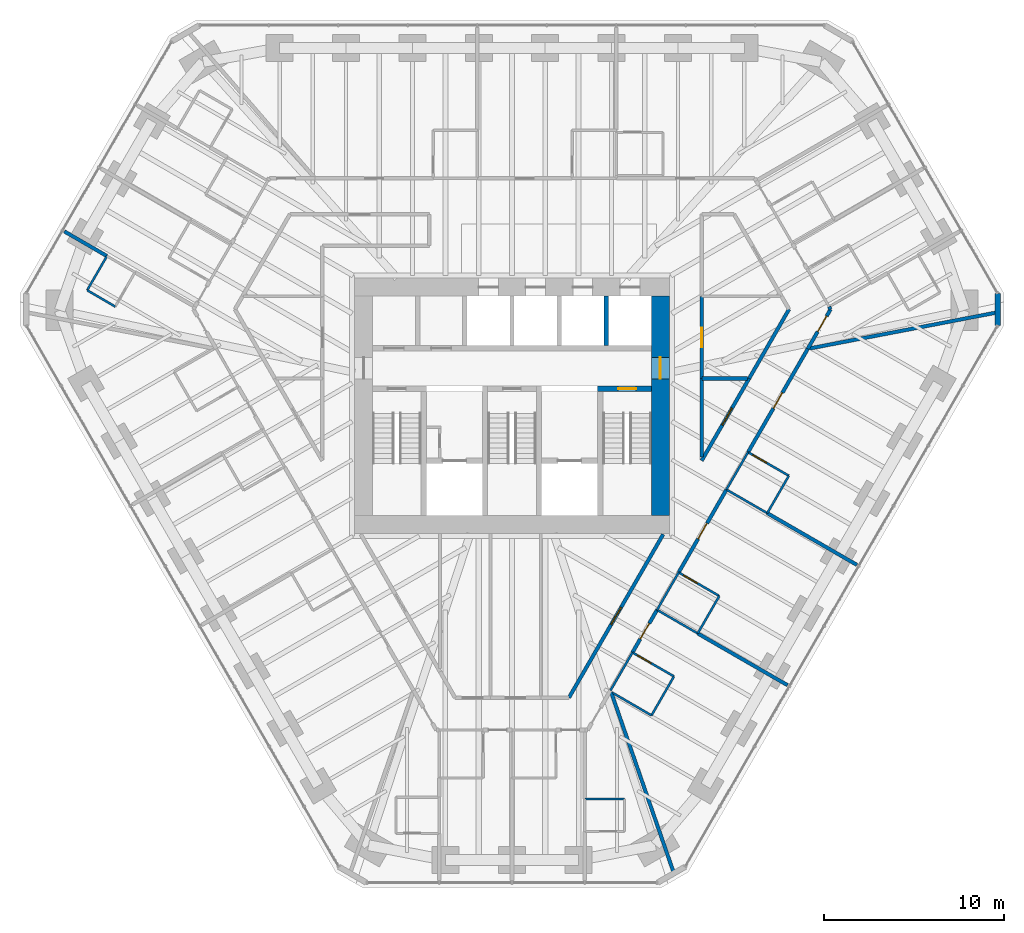
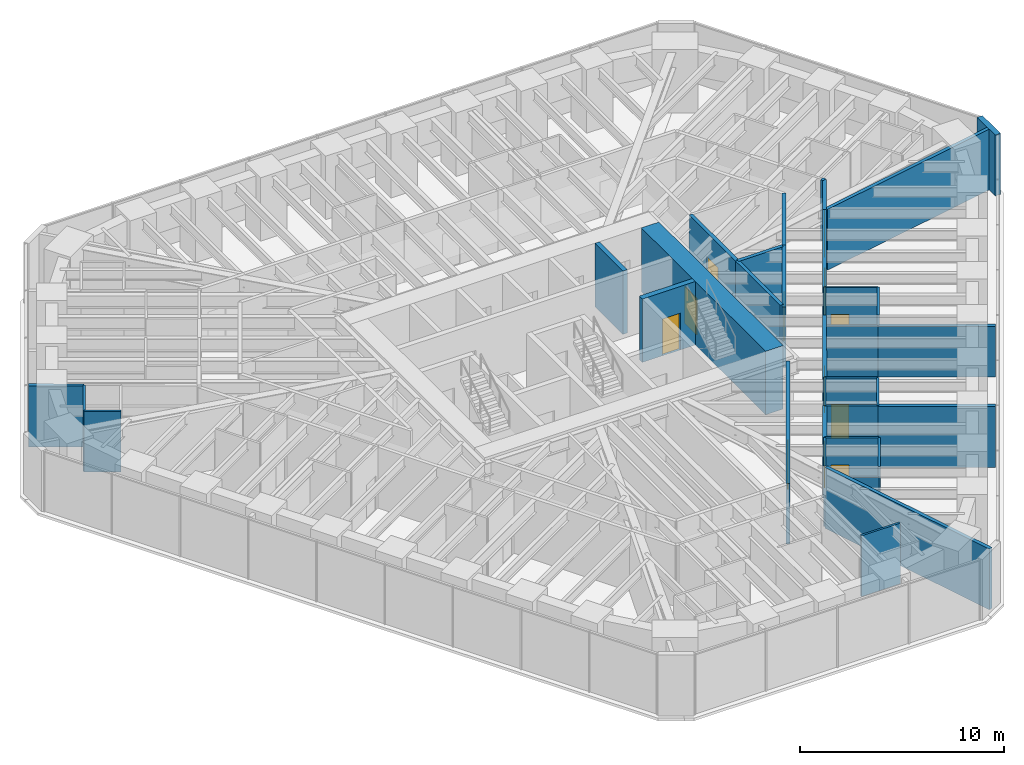
# One storey, part 13 of 17: 35 walls, 12 doors, 12 openings.
"""IFC4 building model written with IfcOpenShell, lengths in metres."""

from ifc_helpers import new_model, si_unit, direction, frame, frame_2d, origin, place, context, subcontext, project, spatial, rectangle, extrude, material, layer, layer_set, type_object, element, fill, save


model = new_model("IFC4")

# Units and contexts
model_context = context("Model", 3, precision=1e-05, world=origin(), true_north=direction((0.0, 1.0)))
body_context = subcontext(model_context, "Body", "Model", "MODEL_VIEW")
ifc_project = project(units=[si_unit("LENGTHUNIT", "METRE"), si_unit("AREAUNIT", "SQUARE_METRE"), si_unit("VOLUMEUNIT", "CUBIC_METRE"), si_unit("PLANEANGLEUNIT", "RADIAN"), si_unit("MASSUNIT", "GRAM", prefix="KILO")], contexts=[model_context])

# Site, building, storey
site_placement = place(None, origin())
site = spatial("IfcSite", under=ifc_project, at=site_placement, CompositionType="ELEMENT")
building_placement = place(site_placement, origin())
building = spatial("IfcBuilding", under=site, at=building_placement, Name="Sandreach Pilgrim Tower", CompositionType="ELEMENT")
storey_placement = place(building_placement, frame((0.0, 0.0, 194.60009765625)))
storey = spatial("IfcBuildingStorey", under=building, at=storey_placement, Name="L48", CompositionType="ELEMENT", Elevation=194.60009765625)

# Walls
ifc_material_1 = material(Name="Moisture-resistant gypsum board on steel studs", Category="steel")
ifc_layer_1 = layer(ifc_material_1, 0.1201171875)
ifc_layer_set_1 = layer_set([ifc_layer_1], Name="Bathroom partition 120")
wall_type_1 = type_object("IfcWallType", Name="Bathroom partition 120", PredefinedType="PARTITIONING", material=ifc_layer_set_1)
wall_1_placement = place(storey_placement, frame((-23.6298828125, 6.429931640625, 0.0), z_axis=(0.0, 0.0, 1.0), x_axis=(0.863773997337, -0.503879431535, 0.0)))
element("IfcWall", 1, at=wall_1_placement, inside=storey, type_object=wall_type_1, Name="Bathroom partition L48-003", PredefinedType="PARTITIONING", context=body_context, shape_type="SweptSolid", body=[
    extrude(rectangle(XDim=1.805908203125, YDim=0.1201171875, at=frame_2d((0.90283203125, 0.0))), origin(), (0.0, 0.0, 1.0), 3.639892578125),
])
wall_2_placement = place(storey_placement, frame((-22.530029296875, 8.330078125, 0.0), z_axis=(0.0, 0.0, 1.0), x_axis=(-0.500957366999, -0.865471961677, 0.0)))
element("IfcWall", 2, at=wall_2_placement, inside=storey, type_object=wall_type_1, Name="Bathroom partition L48-005", PredefinedType="PARTITIONING", context=body_context, shape_type="SweptSolid", body=[
    extrude(rectangle(XDim=2.195556640625, YDim=0.1201171875, at=frame_2d((1.09765625, 0.0))), origin(), (0.0, 0.0, 1.0), 3.639892578125),
])
wall_3_placement = place(storey_placement, frame((5.47998046875, -15.830078125, 0.0), z_axis=(0.0, 0.0, 1.0), x_axis=(0.501028373647, 0.865430857319, 0.0)))
element("IfcWall", 3, at=wall_3_placement, inside=storey, type_object=wall_type_1, Name="Bathroom partition L48-101", PredefinedType="PARTITIONING", context=body_context, shape_type="SweptSolid", body=[
    extrude(rectangle(XDim=2.437255859375, YDim=0.1201171875, at=frame_2d((1.21875, 0.0))), origin(), (0.0, 0.0, 1.0), 3.639892578125),
])
wall_4_placement = place(storey_placement, frame((5.615234375, -15.97509765625, 0.0), z_axis=(0.0, 0.0, 1.0), x_axis=(0.864873056518, -0.501990633487, 0.0)))
element("IfcWall", 4, at=wall_4_placement, inside=storey, type_object=wall_type_1, Name="Bathroom partition L48-103", PredefinedType="PARTITIONING", context=body_context, shape_type="SweptSolid", body=[
    extrude(rectangle(XDim=2.47998046875, YDim=0.1201171875, at=frame_2d((1.239990234375, 0.0))), origin(), (0.0, 0.0, 1.0), 3.037841796875),
])
wall_5_placement = place(storey_placement, frame((6.25, -21.8701171875, 0.0), z_axis=(0.0, 0.0, 1.0), x_axis=(-1.0, 0.0, 0.0)))
element("IfcWall", 5, at=wall_5_placement, inside=storey, type_object=wall_type_1, Name="Bathroom partition L48-111", PredefinedType="PARTITIONING", context=body_context, shape_type="SweptSolid", body=[
    extrude(rectangle(XDim=2.199951171875, YDim=0.1201171875, at=frame_2d((1.10009765625, 0.0))), origin(), (0.0, 0.0, 1.0), 3.639892578125),
])
wall_6_placement = place(storey_placement, frame((7.760009765625, -17.219970703125, 0.0), z_axis=(0.0, 0.0, 1.0), x_axis=(0.499159685399, 0.866510016372, 0.0)))
element("IfcWall", 6, at=wall_6_placement, inside=storey, type_object=wall_type_1, Name="Bathroom partition L48-112", PredefinedType="PARTITIONING", context=body_context, shape_type="SweptSolid", body=[
    extrude(rectangle(XDim=2.504150390625, YDim=0.1201171875, at=frame_2d((1.251953125, 0.0))), origin(), (0.0, 0.0, 1.0), 3.639892578125),
])
wall_7_placement = place(storey_placement, frame((8.070068359375, -11.35009765625, 0.0), z_axis=(0.0, 0.0, 1.0), x_axis=(0.499693115345, 0.866202511239, 0.0)))
element("IfcWall", 7, at=wall_7_placement, inside=storey, type_object=wall_type_1, Name="Bathroom partition L48-114", PredefinedType="PARTITIONING", context=body_context, shape_type="SweptSolid", body=[
    extrude(rectangle(XDim=2.4013671875, YDim=0.1201171875, at=frame_2d((1.20068359375, 0.0))), origin(), (0.0, 0.0, 1.0), 3.639892578125),
])
wall_8_placement = place(storey_placement, frame((8.070068359375, -11.35009765625, 0.0), z_axis=(0.0, 0.0, 1.0), x_axis=(0.865195830568, -0.501434118073, 0.0)))
element("IfcWall", 8, at=wall_8_placement, inside=storey, type_object=wall_type_1, Name="Bathroom partition L48-115", PredefinedType="PARTITIONING", context=body_context, shape_type="SweptSolid", body=[
    extrude(rectangle(XDim=2.612060546875, YDim=0.1201171875, at=frame_2d((1.30615234375, 0.0))), origin(), (0.0, 0.0, 1.0), 3.639892578125),
])

# Wall, opening, door
wall_9_placement = place(storey_placement, frame((9.010009765625, -15.050048828125, 0.0), z_axis=(0.0, 0.0, 1.0), x_axis=(-0.866615255992, 0.498976951453, 0.0)))
wall_9 = element("IfcWall", 9, at=wall_9_placement, inside=storey, type_object=wall_type_1, Name="Bathroom partition L48-119", PredefinedType="PARTITIONING", context=body_context, shape_type="SweptSolid", body=[
    extrude(rectangle(XDim=2.66552734375, YDim=0.1201171875, at=frame_2d((1.332763671875, 0.0))), origin(), (0.0, 0.0, 1.0), 3.639892578125),
])
opening_1_placement = place(wall_9_placement, frame((1.465576171875, 0.0, 0.0)))
opening_1 = element("IfcOpeningElement", 10, at=opening_1_placement, cuts=wall_9, Name="Opening D09-09B", PredefinedType="OPENING", context=body_context, shape_type="SweptSolid", body=[
    extrude(rectangle(XDim=0.89990234375, YDim=2.030029296875, at=frame_2d((0.449951171875, 1.01513671875))), frame((0.0, 0.06005859375, 0.0), z_axis=(0.0, -1.0, 0.0), x_axis=(1.0, 0.0, 0.0)), (0.0, 0.0, 1.0), 0.1201171875),
])
ifc_material_2 = material(Name="Timber door, steel frame", Category="steel")
door_type_1 = type_object("IfcDoorType", Name="Bathroom door", OperationType="SINGLE_SWING_LEFT", PredefinedType="DOOR", material=ifc_material_2)
door_1_placement = place(opening_1_placement, origin())
door_1 = element("IfcDoor", 11, at=door_1_placement, inside=storey, type_object=door_type_1, Name="Door 4809B", OperationType="SINGLE_SWING_RIGHT", OverallHeight=2.030029296875, OverallWidth=0.89990234375, PredefinedType="DOOR", context=body_context, shape_type="SweptSolid", body=[
    extrude(rectangle(XDim=0.89990234375, YDim=2.030029296875, at=frame_2d((0.449951171875, 1.01513671875))), frame((0.0, 0.02490234375, 0.0), z_axis=(0.0, -1.0, 0.0), x_axis=(1.0, 0.0, 0.0)), (0.0, 0.0, 1.0), 0.050048828125),
])
fill(opening_1, door_1)

# Wall
wall_10_placement = place(storey_placement, frame((10.330078125, -12.659912109375, 0.0), z_axis=(0.0, 0.0, 1.0), x_axis=(0.499737123639, 0.866177122335, 0.0)))
element("IfcWall", 12, at=wall_10_placement, inside=storey, type_object=wall_type_1, Name="Bathroom partition L48-121", PredefinedType="PARTITIONING", context=body_context, shape_type="SweptSolid", body=[
    extrude(rectangle(XDim=2.401123046875, YDim=0.1201171875, at=frame_2d((1.20068359375, 0.0))), origin(), (0.0, 0.0, 1.0), 3.639892578125),
])

# Wall, opening, door
wall_11_placement = place(storey_placement, frame((11.530029296875, -10.580078125, 0.0), z_axis=(0.0, 0.0, 1.0), x_axis=(-0.865155281359, 0.50150407689, 0.0)))
wall_11 = element("IfcWall", 13, at=wall_11_placement, inside=storey, type_object=wall_type_1, Name="Bathroom partition L48-128", PredefinedType="PARTITIONING", context=body_context, shape_type="SweptSolid", body=[
    extrude(rectangle(XDim=2.6123046875, YDim=0.1201171875, at=frame_2d((1.30615234375, 0.0))), origin(), (0.0, 0.0, 1.0), 3.639892578125),
])
opening_2_placement = place(wall_11_placement, frame((1.412109375, 0.0, 0.0)))
opening_2 = element("IfcOpeningElement", 14, at=opening_2_placement, cuts=wall_11, Name="Opening D09-08B", PredefinedType="OPENING", context=body_context, shape_type="SweptSolid", body=[
    extrude(rectangle(XDim=0.89990234375, YDim=2.030029296875, at=frame_2d((0.449951171875, 1.01513671875))), frame((0.0, 0.06005859375, 0.0), z_axis=(0.0, -1.0, 0.0), x_axis=(1.0, 0.0, 0.0)), (0.0, 0.0, 1.0), 0.1201171875),
])
door_2_placement = place(opening_2_placement, origin())
door_2 = element("IfcDoor", 15, at=door_2_placement, inside=storey, type_object=door_type_1, Name="Door 4808B", OperationType="SINGLE_SWING_RIGHT", OverallHeight=2.030029296875, OverallWidth=0.89990234375, PredefinedType="DOOR", context=body_context, shape_type="SweptSolid", body=[
    extrude(rectangle(XDim=0.89990234375, YDim=2.030029296875, at=frame_2d((0.449951171875, 1.01513671875))), frame((0.0, 0.02490234375, 0.0), z_axis=(0.0, -1.0, 0.0), x_axis=(1.0, 0.0, 0.0)), (0.0, 0.0, 1.0), 0.050048828125),
])
fill(opening_2, door_2)

# Walls
wall_12_placement = place(storey_placement, frame((11.927734375, -4.65869140625, 0.0), z_axis=(0.0, 0.0, 1.0), x_axis=(0.500643444581, 0.865653592032, 0.0)))
element("IfcWall", 16, at=wall_12_placement, inside=storey, type_object=wall_type_1, Name="Bathroom partition L48-129", PredefinedType="PARTITIONING", context=body_context, shape_type="SweptSolid", body=[
    extrude(rectangle(XDim=2.401123046875, YDim=0.1201171875, at=frame_2d((1.20068359375, 0.0))), origin(), (0.0, 0.0, 1.0), 3.639892578125),
])
wall_13_placement = place(storey_placement, frame((11.929931640625, -4.659912109375, 0.0), z_axis=(0.0, 0.0, 1.0), x_axis=(0.865969958829, -0.500096021185, 0.0)))
element("IfcWall", 17, at=wall_13_placement, inside=storey, type_object=wall_type_1, Name="Bathroom partition L48-130", PredefinedType="PARTITIONING", context=body_context, shape_type="SweptSolid", body=[
    extrude(rectangle(XDim=2.62109375, YDim=0.1201171875, at=frame_2d((1.310546875, 0.0))), origin(), (0.0, 0.0, 1.0), 3.037841796875),
])
wall_14_placement = place(storey_placement, frame((14.199951171875, -5.969970703125, 0.0), z_axis=(0.0, 0.0, 1.0), x_axis=(0.499737123639, 0.866177122335, 0.0)))
element("IfcWall", 18, at=wall_14_placement, inside=storey, type_object=wall_type_1, Name="Bathroom partition L48-138", PredefinedType="PARTITIONING", context=body_context, shape_type="SweptSolid", body=[
    extrude(rectangle(XDim=2.401123046875, YDim=0.1201171875, at=frame_2d((1.20068359375, 0.0))), origin(), (0.0, 0.0, 1.0), 3.639892578125),
])

# Wall, opening, door
wall_15_placement = place(storey_placement, frame((15.39990234375, -3.889892578125, 0.0), z_axis=(0.0, 0.0, 1.0), x_axis=(-0.866154567199, 0.49977621564, 0.0)))
wall_15 = element("IfcWall", 19, at=wall_15_placement, inside=storey, type_object=wall_type_1, Name="Bathroom partition L48-142", PredefinedType="PARTITIONING", context=body_context, shape_type="SweptSolid", body=[
    extrude(rectangle(XDim=2.620849609375, YDim=0.1201171875, at=frame_2d((1.310546875, 0.0))), origin(), (0.0, 0.0, 1.0), 3.639892578125),
])
opening_3_placement = place(wall_15_placement, frame((1.4208984375, 0.0, 0.0)))
opening_3 = element("IfcOpeningElement", 20, at=opening_3_placement, cuts=wall_15, Name="Opening D09-07B", PredefinedType="OPENING", context=body_context, shape_type="SweptSolid", body=[
    extrude(rectangle(XDim=0.89990234375, YDim=2.030029296875, at=frame_2d((0.449951171875, 1.01513671875))), frame((0.0, 0.06005859375, 0.0), z_axis=(0.0, -1.0, 0.0), x_axis=(1.0, 0.0, 0.0)), (0.0, 0.0, 1.0), 0.1201171875),
])
door_3_placement = place(opening_3_placement, origin())
door_3 = element("IfcDoor", 21, at=door_3_placement, inside=storey, type_object=door_type_1, Name="Door 4807B", OperationType="SINGLE_SWING_RIGHT", OverallHeight=2.030029296875, OverallWidth=0.89990234375, PredefinedType="DOOR", context=body_context, shape_type="SweptSolid", body=[
    extrude(rectangle(XDim=0.89990234375, YDim=2.030029296875, at=frame_2d((0.449951171875, 1.01513671875))), frame((0.0, 0.02490234375, 0.0), z_axis=(0.0, -1.0, 0.0), x_axis=(1.0, 0.0, 0.0)), (0.0, 0.0, 1.0), 0.050048828125),
])
fill(opening_3, door_3)

ifc_material_3 = material(Name="Concrete 10000 psi", Category="concrete")
ifc_layer_2 = layer(ifc_material_3, 0.300048828125)
ifc_layer_set_2 = layer_set([ifc_layer_2], Name="Core inner wall 300")
wall_type_2 = type_object("IfcWallType", Name="Core inner wall 300", PredefinedType="SHEAR", material=ifc_layer_set_2)
wall_16_placement = place(storey_placement, frame((4.75, 0.949951171875, 0.0), z_axis=(0.0, 0.0, 1.0), x_axis=(1.0, 0.0, 0.0)))
wall_16 = element("IfcWall", 22, at=wall_16_placement, inside=storey, type_object=wall_type_2, Name="Core wall SN2 L48", PredefinedType="SHEAR", context=body_context, shape_type="SweptSolid", body=[
    extrude(rectangle(XDim=3.0, YDim=0.300048828125, at=frame_2d((1.5, 0.0))), origin(), (0.0, 0.0, 1.0), 3.7998046875),
])
opening_4_placement = place(wall_16_placement, frame((1.14990234375, 0.0, 0.0)))
opening_4 = element("IfcOpeningElement", 23, at=opening_4_placement, cuts=wall_16, Name="Opening D10S-ST2", PredefinedType="OPENING", context=body_context, shape_type="SweptSolid", body=[
    extrude(rectangle(XDim=1.0, YDim=2.199951171875, at=frame_2d((0.5, 1.10009765625))), frame((0.0, 0.14990234375, 0.0), z_axis=(0.0, -1.0, 0.0), x_axis=(1.0, 0.0, 0.0)), (0.0, 0.0, 1.0), 0.300048828125),
])
ifc_material_4 = material(Name="Steel door and frame", Category="steel")
door_type_2 = type_object("IfcDoorType", Name="Stair door", OperationType="SINGLE_SWING_LEFT", PredefinedType="DOOR", material=ifc_material_4)
door_4_placement = place(opening_4_placement, origin())
door_4 = element("IfcDoor", 24, at=door_4_placement, inside=storey, type_object=door_type_2, Name="Stair door ST2 L48", OperationType="SINGLE_SWING_RIGHT", OverallHeight=2.199951171875, OverallWidth=1.0, PredefinedType="DOOR", context=body_context, shape_type="SweptSolid", body=[
    extrude(rectangle(XDim=1.0, YDim=2.199951171875, at=frame_2d((0.5, 1.10009765625))), frame((0.0, 0.02490234375, 0.0), z_axis=(0.0, -1.0, 0.0), x_axis=(1.0, 0.0, 0.0)), (0.0, 0.0, 1.0), 0.050048828125),
])
fill(opening_4, door_4)

ifc_material_5 = material(Name="Concrete 10000 psi", Category="concrete")
ifc_layer_3 = layer(ifc_material_5, 1.0)
ifc_layer_set_3 = layer_set([ifc_layer_3], Name="Core wall 1000")
wall_type_3 = type_object("IfcWallType", Name="Core wall 1000", PredefinedType="SHEAR", material=ifc_layer_set_3)
wall_17_placement = place(storey_placement, frame((8.25, -6.10009765625, 0.0), z_axis=(0.0, 0.0, 1.0), x_axis=(0.0, 1.0, 0.0)))
wall_17 = element("IfcWall", 25, at=wall_17_placement, inside=storey, type_object=wall_type_3, Name="Core wall E L48", PredefinedType="SHEAR", context=body_context, shape_type="SweptSolid", body=[
    extrude(rectangle(XDim=12.2001953125, YDim=1.0, at=frame_2d((6.10009765625, 0.0))), origin(), (0.0, 0.0, 1.0), 3.7998046875),
])
opening_5_placement = place(wall_17_placement, frame((7.60009765625, 0.0, 0.0)))
opening_5 = element("IfcOpeningElement", 26, at=opening_5_placement, cuts=wall_17, Name="Opening D12F-E", PredefinedType="OPENING", context=body_context, shape_type="SweptSolid", body=[
    extrude(rectangle(XDim=1.199951171875, YDim=2.199951171875, at=frame_2d((0.60009765625, 1.10009765625))), frame((0.0, 0.5, 0.0), z_axis=(0.0, -1.0, 0.0), x_axis=(1.0, 0.0, 0.0)), (0.0, 0.0, 1.0), 1.0),
])
ifc_material_6 = material(Name="Steel door and frame", Category="steel")
door_type_3 = type_object("IfcDoorType", Name="Fire lobby door", OperationType="SINGLE_SWING_LEFT", PredefinedType="DOOR", material=ifc_material_6)
door_5_placement = place(opening_5_placement, origin())
door_5 = element("IfcDoor", 27, at=door_5_placement, inside=storey, type_object=door_type_3, Name="Fire service lobby door E L48", OperationType="SINGLE_SWING_RIGHT", OverallHeight=2.199951171875, OverallWidth=1.199951171875, PredefinedType="DOOR", context=body_context, shape_type="SweptSolid", body=[
    extrude(rectangle(XDim=1.199951171875, YDim=2.199951171875, at=frame_2d((0.60009765625, 1.10009765625))), frame((0.0, 0.02490234375, 0.0), z_axis=(0.0, -1.0, 0.0), x_axis=(1.0, 0.0, 0.0)), (0.0, 0.0, 1.0), 0.050048828125),
])
fill(opening_5, door_5)

ifc_material_7 = material(Name="Gypsum board on steel studs, two layers each side", Category="steel")
ifc_layer_4 = layer(ifc_material_7, 0.199951171875)
ifc_layer_set_4 = layer_set([ifc_layer_4], Name="Corridor wall 200")
wall_type_4 = type_object("IfcWallType", Name="Corridor wall 200", PredefinedType="PARTITIONING", material=ifc_layer_set_4)
wall_18_placement = place(storey_placement, frame((8.06884765625, -11.349365234375, 0.0), z_axis=(0.0, 0.0, 1.0), x_axis=(-0.499611785355, -0.866249423627, 0.0)))
wall_18 = element("IfcWall", 28, at=wall_18_placement, inside=storey, type_object=wall_type_4, Name="Corridor wall L48-113", PredefinedType="PARTITIONING", context=body_context, shape_type="SweptSolid", body=[
    extrude(rectangle(XDim=2.737548828125, YDim=0.199951171875, at=frame_2d((1.36865234375, 0.0))), origin(), (0.0, 0.0, 1.0), 3.639892578125),
])
opening_6_placement = place(wall_18_placement, frame((0.868896484375, 0.0, 0.0)))
opening_6 = element("IfcOpeningElement", 29, at=opening_6_placement, cuts=wall_18, Name="Opening D10-09", PredefinedType="OPENING", context=body_context, shape_type="SweptSolid", body=[
    extrude(rectangle(XDim=1.0, YDim=2.1298828125, at=frame_2d((0.5, 1.06494140625))), frame((0.0, 0.10009765625, 0.0), z_axis=(0.0, -1.0, 0.0), x_axis=(1.0, 0.0, 0.0)), (0.0, 0.0, 1.0), 0.199951171875),
])
ifc_material_8 = material(Name="Steel door and frame", Category="steel")
door_type_4 = type_object("IfcDoorType", Name="Guest room entry door", OperationType="SINGLE_SWING_LEFT", PredefinedType="DOOR", material=ifc_material_8)
door_6_placement = place(opening_6_placement, origin())
door_6 = element("IfcDoor", 30, at=door_6_placement, inside=storey, type_object=door_type_4, Name="Door 4809", OperationType="SINGLE_SWING_LEFT", OverallHeight=2.1298828125, OverallWidth=1.0, PredefinedType="DOOR", context=body_context, shape_type="SweptSolid", body=[
    extrude(rectangle(XDim=1.0, YDim=2.1298828125, at=frame_2d((0.5, 1.06494140625))), frame((0.0, 0.02490234375, 0.0), z_axis=(0.0, -1.0, 0.0), x_axis=(1.0, 0.0, 0.0)), (0.0, 0.0, 1.0), 0.050048828125),
])
fill(opening_6, door_6)

wall_19_placement = place(storey_placement, frame((8.409912109375, -7.14990234375, 0.0), z_axis=(0.0, 0.0, 1.0), x_axis=(-0.499828628176, -0.866124322748, 0.0)))
wall_19 = element("IfcWall", 31, at=wall_19_placement, inside=storey, type_object=wall_type_4, Name="Corridor wall L48-118", PredefinedType="PARTITIONING", context=body_context, shape_type="SweptSolid", body=[
    extrude(rectangle(XDim=10.483642578125, YDim=0.199951171875, at=frame_2d((5.24169921875, 0.0))), origin(), (0.0, 0.0, 1.0), 3.639892578125),
])
opening_7_placement = place(wall_19_placement, frame((4.691650390625, 0.0, 0.0)))
opening_7 = element("IfcOpeningElement", 32, at=opening_7_placement, cuts=wall_19, Name="Opening D11H-S4", PredefinedType="OPENING", context=body_context, shape_type="SweptSolid", body=[
    extrude(rectangle(XDim=1.10009765625, YDim=2.199951171875, at=frame_2d((0.550048828125, 1.10009765625))), frame((0.0, 0.10009765625, 0.0), z_axis=(0.0, -1.0, 0.0), x_axis=(1.0, 0.0, 0.0)), (0.0, 0.0, 1.0), 0.199951171875),
])
ifc_material_9 = material(Name="Steel door and frame", Category="steel")
door_type_5 = type_object("IfcDoorType", Name="Back of house door", OperationType="SINGLE_SWING_LEFT", PredefinedType="DOOR", material=ifc_material_9)
door_7_placement = place(opening_7_placement, origin())
door_7 = element("IfcDoor", 33, at=door_7_placement, inside=storey, type_object=door_type_5, Name="Door 48S4", OperationType="SINGLE_SWING_LEFT", OverallHeight=2.199951171875, OverallWidth=1.10009765625, PredefinedType="DOOR", context=body_context, shape_type="SweptSolid", body=[
    extrude(rectangle(XDim=1.10009765625, YDim=2.199951171875, at=frame_2d((0.550048828125, 1.10009765625))), frame((0.0, 0.02490234375, 0.0), z_axis=(0.0, -1.0, 0.0), x_axis=(1.0, 0.0, 0.0)), (0.0, 0.0, 1.0), 0.050048828125),
])
fill(opening_7, door_7)

wall_20_placement = place(storey_placement, frame((9.27001953125, -9.27001953125, 0.0), z_axis=(0.0, 0.0, 1.0), x_axis=(0.499755544815, 0.866166494057, 0.0)))
wall_20 = element("IfcWall", 34, at=wall_20_placement, inside=storey, type_object=wall_type_4, Name="Corridor wall L48-120", PredefinedType="PARTITIONING", context=body_context, shape_type="SweptSolid", body=[
    extrude(rectangle(XDim=5.322509765625, YDim=0.199951171875, at=frame_2d((2.6611328125, 0.0))), origin(), (0.0, 0.0, 1.0), 3.639892578125),
])
opening_8_placement = place(wall_20_placement, frame((2.1611328125, 0.0, 0.0)))
opening_8 = element("IfcOpeningElement", 35, at=opening_8_placement, cuts=wall_20, Name="Opening D10-08", PredefinedType="OPENING", context=body_context, shape_type="SweptSolid", body=[
    extrude(rectangle(XDim=1.0, YDim=2.1298828125, at=frame_2d((0.5, 1.06494140625))), frame((0.0, 0.10009765625, 0.0), z_axis=(0.0, -1.0, 0.0), x_axis=(1.0, 0.0, 0.0)), (0.0, 0.0, 1.0), 0.199951171875),
])
door_8_placement = place(opening_8_placement, origin())
door_8 = element("IfcDoor", 36, at=door_8_placement, inside=storey, type_object=door_type_4, Name="Door 4808", OperationType="SINGLE_SWING_LEFT", OverallHeight=2.1298828125, OverallWidth=1.0, PredefinedType="DOOR", context=body_context, shape_type="SweptSolid", body=[
    extrude(rectangle(XDim=1.0, YDim=2.1298828125, at=frame_2d((0.5, 1.06494140625))), frame((0.0, 0.02490234375, 0.0), z_axis=(0.0, -1.0, 0.0), x_axis=(1.0, 0.0, 0.0)), (0.0, 0.0, 1.0), 0.050048828125),
])
fill(opening_8, door_8)

# Wall
wall_21_placement = place(storey_placement, frame((10.550048828125, -2.85498046875, 0.0), z_axis=(0.0, 0.0, 1.0), x_axis=(0.0, 1.0, 0.0)))
element("IfcWall", 37, at=wall_21_placement, inside=storey, type_object=wall_type_4, Name="Corridor wall L48-123", PredefinedType="PARTITIONING", context=body_context, shape_type="SweptSolid", body=[
    extrude(rectangle(XDim=4.375, YDim=0.199951171875, at=frame_2d((2.1875, 0.0))), origin(), (0.0, 0.0, 1.0), 3.639892578125),
])

# Wall, opening, door
wall_22_placement = place(storey_placement, frame((10.550048828125, 1.52001953125, 0.0), z_axis=(0.0, 0.0, 1.0), x_axis=(0.0, 1.0, 0.0)))
wall_22 = element("IfcWall", 38, at=wall_22_placement, inside=storey, type_object=wall_type_4, Name="Corridor wall L48-124", PredefinedType="PARTITIONING", context=body_context, shape_type="SweptSolid", body=[
    extrude(rectangle(XDim=4.570068359375, YDim=0.199951171875, at=frame_2d((2.28515625, 0.0))), origin(), (0.0, 0.0, 1.0), 3.639892578125),
])
opening_9_placement = place(wall_22_placement, frame((1.735107421875, 0.0, 0.0)))
opening_9 = element("IfcOpeningElement", 39, at=opening_9_placement, cuts=wall_22, Name="Opening D11H-M06", PredefinedType="OPENING", context=body_context, shape_type="SweptSolid", body=[
    extrude(rectangle(XDim=1.10009765625, YDim=2.199951171875, at=frame_2d((0.550048828125, 1.10009765625))), frame((0.0, 0.10009765625, 0.0), z_axis=(0.0, -1.0, 0.0), x_axis=(1.0, 0.0, 0.0)), (0.0, 0.0, 1.0), 0.199951171875),
])
door_9_placement = place(opening_9_placement, origin())
door_9 = element("IfcDoor", 40, at=door_9_placement, inside=storey, type_object=door_type_5, Name="Door 48M06", OperationType="SINGLE_SWING_LEFT", OverallHeight=2.199951171875, OverallWidth=1.10009765625, PredefinedType="DOOR", context=body_context, shape_type="SweptSolid", body=[
    extrude(rectangle(XDim=1.10009765625, YDim=2.199951171875, at=frame_2d((0.550048828125, 1.10009765625))), frame((0.0, 0.02490234375, 0.0), z_axis=(0.0, -1.0, 0.0), x_axis=(1.0, 0.0, 0.0)), (0.0, 0.0, 1.0), 0.050048828125),
])
fill(opening_9, door_9)

wall_23_placement = place(storey_placement, frame((13.1298828125, -2.580078125, 0.0), z_axis=(0.0, 0.0, 1.0), x_axis=(0.500148944124, 0.865939393775, 0.0)))
wall_23 = element("IfcWall", 41, at=wall_23_placement, inside=storey, type_object=wall_type_4, Name="Corridor wall L48-132", PredefinedType="PARTITIONING", context=body_context, shape_type="SweptSolid", body=[
    extrude(rectangle(XDim=6.6396484375, YDim=0.199951171875, at=frame_2d((3.31982421875, 0.0))), origin(), (0.0, 0.0, 1.0), 3.639892578125),
])
opening_10_placement = place(wall_23_placement, frame((2.81982421875, 0.0, 0.0)))
opening_10 = element("IfcOpeningElement", 42, at=opening_10_placement, cuts=wall_23, Name="Opening D10-07", PredefinedType="OPENING", context=body_context, shape_type="SweptSolid", body=[
    extrude(rectangle(XDim=1.0, YDim=2.1298828125, at=frame_2d((0.5, 1.06494140625))), frame((0.0, 0.10009765625, 0.0), z_axis=(0.0, -1.0, 0.0), x_axis=(1.0, 0.0, 0.0)), (0.0, 0.0, 1.0), 0.199951171875),
])
door_10_placement = place(opening_10_placement, origin())
door_10 = element("IfcDoor", 43, at=door_10_placement, inside=storey, type_object=door_type_4, Name="Door 4807", OperationType="SINGLE_SWING_LEFT", OverallHeight=2.1298828125, OverallWidth=1.0, PredefinedType="DOOR", context=body_context, shape_type="SweptSolid", body=[
    extrude(rectangle(XDim=1.0, YDim=2.1298828125, at=frame_2d((0.5, 1.06494140625))), frame((0.0, 0.02490234375, 0.0), z_axis=(0.0, -1.0, 0.0), x_axis=(1.0, 0.0, 0.0)), (0.0, 0.0, 1.0), 0.050048828125),
])
fill(opening_10, door_10)

wall_24_placement = place(storey_placement, frame((13.18994140625, 1.52001953125, 0.0), z_axis=(0.0, 0.0, 1.0), x_axis=(-0.500193590286, -0.865913605527, 0.0)))
wall_24 = element("IfcWall", 44, at=wall_24_placement, inside=storey, type_object=wall_type_4, Name="Corridor wall L48-133", PredefinedType="PARTITIONING", context=body_context, shape_type="SweptSolid", body=[
    extrude(rectangle(XDim=5.27783203125, YDim=0.199951171875, at=frame_2d((2.638916015625, 0.0))), origin(), (0.0, 0.0, 1.0), 3.639892578125),
])
opening_11_placement = place(wall_24_placement, frame((1.89990234375, 0.0, 0.0)))
opening_11 = element("IfcOpeningElement", 45, at=opening_11_placement, cuts=wall_24, Name="Opening D11H-M04", PredefinedType="OPENING", context=body_context, shape_type="SweptSolid", body=[
    extrude(rectangle(XDim=1.10009765625, YDim=2.199951171875, at=frame_2d((0.550048828125, 1.10009765625))), frame((0.0, 0.10009765625, 0.0), z_axis=(0.0, -1.0, 0.0), x_axis=(1.0, 0.0, 0.0)), (0.0, 0.0, 1.0), 0.199951171875),
])
door_11_placement = place(opening_11_placement, origin())
door_11 = element("IfcDoor", 46, at=door_11_placement, inside=storey, type_object=door_type_5, Name="Door 48M04", OperationType="SINGLE_SWING_LEFT", OverallHeight=2.199951171875, OverallWidth=1.10009765625, PredefinedType="DOOR", context=body_context, shape_type="SweptSolid", body=[
    extrude(rectangle(XDim=1.10009765625, YDim=2.199951171875, at=frame_2d((0.550048828125, 1.10009765625))), frame((0.0, 0.02490234375, 0.0), z_axis=(0.0, -1.0, 0.0), x_axis=(1.0, 0.0, 0.0)), (0.0, 0.0, 1.0), 0.050048828125),
])
fill(opening_11, door_11)

# Wall
wall_25_placement = place(storey_placement, frame((15.409912109375, 5.3701171875, 0.0), z_axis=(0.0, 0.0, 1.0), x_axis=(-0.499513190454, -0.866306281036, 0.0)))
element("IfcWall", 47, at=wall_25_placement, inside=storey, type_object=wall_type_4, Name="Corridor wall L48-143", PredefinedType="PARTITIONING", context=body_context, shape_type="SweptSolid", body=[
    extrude(rectangle(XDim=4.4443359375, YDim=0.199951171875, at=frame_2d((2.22216796875, 0.0))), origin(), (0.0, 0.0, 1.0), 3.639892578125),
])

# Wall, opening, door
wall_26_placement = place(storey_placement, frame((16.449951171875, 3.169921875, 0.0), z_axis=(0.0, 0.0, 1.0), x_axis=(0.499922110319, 0.866070368743, 0.0)))
wall_26 = element("IfcWall", 48, at=wall_26_placement, inside=storey, type_object=wall_type_4, Name="Corridor wall L48-146", PredefinedType="PARTITIONING", context=body_context, shape_type="SweptSolid", body=[
    extrude(rectangle(XDim=2.54052734375, YDim=0.199951171875, at=frame_2d((1.270263671875, 0.0))), origin(), (0.0, 0.0, 1.0), 3.639892578125),
])
opening_12_placement = place(wall_26_placement, frame((1.10009765625, 0.0, 0.0)))
opening_12 = element("IfcOpeningElement", 49, at=opening_12_placement, cuts=wall_26, Name="Opening D10-06", PredefinedType="OPENING", context=body_context, shape_type="SweptSolid", body=[
    extrude(rectangle(XDim=1.0, YDim=2.1298828125, at=frame_2d((0.5, 1.06494140625))), frame((0.0, 0.10009765625, 0.0), z_axis=(0.0, -1.0, 0.0), x_axis=(1.0, 0.0, 0.0)), (0.0, 0.0, 1.0), 0.199951171875),
])
door_12_placement = place(opening_12_placement, origin())
door_12 = element("IfcDoor", 50, at=door_12_placement, inside=storey, type_object=door_type_4, Name="Door 4806", OperationType="SINGLE_SWING_RIGHT", OverallHeight=2.1298828125, OverallWidth=1.0, PredefinedType="DOOR", context=body_context, shape_type="SweptSolid", body=[
    extrude(rectangle(XDim=1.0, YDim=2.1298828125, at=frame_2d((0.5, 1.06494140625))), frame((0.0, 0.02490234375, 0.0), z_axis=(0.0, -1.0, 0.0), x_axis=(1.0, 0.0, 0.0)), (0.0, 0.0, 1.0), 0.050048828125),
])
fill(opening_12, door_12)

# Walls
wall_27_placement = place(storey_placement, frame((17.719970703125, 5.3701171875, 0.0), z_axis=(0.0, 0.0, 1.0), x_axis=(-0.540386452408, 0.841416948994, 0.0)))
element("IfcWall", 51, at=wall_27_placement, inside=storey, type_object=wall_type_4, Name="Corridor wall L48-150", PredefinedType="PARTITIONING", context=body_context, shape_type="SweptSolid", body=[
    extrude(rectangle(XDim=0.166259765625, YDim=0.199951171875, at=frame_2d((0.0830078125, 0.0))), origin(), (0.0, 0.0, 1.0), 3.639892578125),
])
ifc_material_10 = material(Name="Double steel stud acoustic wall, gypsum board", Category="steel")
ifc_layer_5 = layer(ifc_material_10, 0.199951171875)
ifc_layer_set_5 = layer_set([ifc_layer_5], Name="Party wall 200")
wall_type_5 = type_object("IfcWallType", Name="Party wall 200", PredefinedType="PARTITIONING", material=ifc_layer_set_5)
wall_28_placement = place(storey_placement, frame((-24.896240234375, 9.699951171875, 0.0), z_axis=(0.0, 0.0, 1.0), x_axis=(0.865432398871, -0.501025710902, 0.0)))
element("IfcWall", 52, at=wall_28_placement, inside=storey, type_object=wall_type_5, Name="Party wall L48-002", PredefinedType="PARTITIONING", context=body_context, shape_type="SweptSolid", body=[
    extrude(rectangle(XDim=2.734130859375, YDim=0.199951171875, at=frame_2d((1.3671875, 0.0))), origin(), (0.0, 0.0, 1.0), 3.639892578125),
])
wall_29_placement = place(storey_placement, frame((5.515380859375, -15.93212890625, 0.0), z_axis=(0.0, 0.0, 1.0), x_axis=(0.327594697431, -0.944818349851, 0.0)))
element("IfcWall", 53, at=wall_29_placement, inside=storey, type_object=wall_type_5, Name="Party wall L48-102", PredefinedType="PARTITIONING", context=body_context, shape_type="SweptSolid", body=[
    extrude(rectangle(XDim=10.668212890625, YDim=0.199951171875, at=frame_2d((5.333984375, 0.0))), origin(), (0.0, 0.0, 1.0), 3.639892578125),
])
wall_30_placement = place(storey_placement, frame((10.330078125, -12.659912109375, 0.0), z_axis=(0.0, 0.0, 1.0), x_axis=(0.866342721203, -0.499449986905, 0.0)))
element("IfcWall", 54, at=wall_30_placement, inside=storey, type_object=wall_type_5, Name="Party wall L48-122", PredefinedType="PARTITIONING", context=body_context, shape_type="SweptSolid", body=[
    extrude(rectangle(XDim=5.7666015625, YDim=0.199951171875, at=frame_2d((2.88330078125, 0.0))), origin(), (0.0, 0.0, 1.0), 3.639892578125),
])
wall_31_placement = place(storey_placement, frame((10.56005859375, 1.52001953125, 0.0), z_axis=(0.0, 0.0, 1.0), x_axis=(1.0, 0.0, 0.0)))
element("IfcWall", 55, at=wall_31_placement, inside=storey, type_object=wall_type_5, Name="Party wall L48-126", PredefinedType="PARTITIONING", context=body_context, shape_type="SweptSolid", body=[
    extrude(rectangle(XDim=2.550048828125, YDim=0.199951171875, at=frame_2d((1.27490234375, 0.0))), origin(), (0.0, 0.0, 1.0), 3.639892578125),
])
wall_32_placement = place(storey_placement, frame((14.19970703125, -5.970703125, 0.0), z_axis=(0.0, 0.0, 1.0), x_axis=(0.86600340545, -0.500038100297, 0.0)))
element("IfcWall", 56, at=wall_32_placement, inside=storey, type_object=wall_type_5, Name="Party wall L48-137", PredefinedType="PARTITIONING", context=body_context, shape_type="SweptSolid", body=[
    extrude(rectangle(XDim=5.7578125, YDim=0.199951171875, at=frame_2d((2.87890625, 0.0))), origin(), (0.0, 0.0, 1.0), 3.037841796875),
])
wall_33_placement = place(storey_placement, frame((16.548095703125, 3.18896484375, 0.0), z_axis=(0.0, 0.0, 1.0), x_axis=(0.982047984466, 0.188631270488, 0.0)))
element("IfcWall", 57, at=wall_33_placement, inside=storey, type_object=wall_type_5, Name="Party wall L48-147", PredefinedType="PARTITIONING", context=body_context, shape_type="SweptSolid", body=[
    extrude(rectangle(XDim=10.684326171875, YDim=0.199951171875, at=frame_2d((5.34228515625, 0.0))), origin(), (0.0, 0.0, 1.0), 3.639892578125),
])
ifc_material_11 = material(Name="Gypsum shaft wall on steel studs, two layers of shaft liner board", Category="steel")
ifc_layer_6 = layer(ifc_material_11, 0.25)
ifc_layer_set_6 = layer_set([ifc_layer_6], Name="Shaft partition 250")
wall_type_6 = type_object("IfcWallType", Name="Shaft partition 250", PredefinedType="PARTITIONING", material=ifc_layer_set_6)
wall_34_placement = place(storey_placement, frame((5.25, 3.35009765625, 0.0), z_axis=(0.0, 0.0, 1.0), x_axis=(0.0, 1.0, 0.0)))
element("IfcWall", 58, at=wall_34_placement, inside=storey, type_object=wall_type_6, Name="Shaft partition NS4 L48", PredefinedType="PARTITIONING", context=body_context, shape_type="SweptSolid", body=[
    extrude(rectangle(XDim=2.75, YDim=0.25, at=frame_2d((1.375, 0.0))), origin(), (0.0, 0.0, 1.0), 3.7998046875),
])
ifc_material_12 = material(Name="Terracotta rainscreen on concrete", Category="masonry")
ifc_layer_7 = layer(ifc_material_12, 0.300048828125)
ifc_layer_set_7 = layer_set([ifc_layer_7], Name="Terracotta chamfer pier")
wall_type_7 = type_object("IfcWallType", Name="Terracotta chamfer pier", PredefinedType="SOLIDWALL", material=ifc_layer_set_7)
wall_35_placement = place(storey_placement, frame((27.02001953125, 6.25, 0.0), z_axis=(0.0, 0.0, 1.0), x_axis=(0.0, -1.0, 0.0)))
element("IfcWall", 59, at=wall_35_placement, inside=storey, type_object=wall_type_7, Name="Chamfer pier L48 NE", PredefinedType="SOLIDWALL", context=body_context, shape_type="SweptSolid", body=[
    extrude(rectangle(XDim=1.77001953125, YDim=0.300048828125, at=frame_2d((0.885009765625, 0.0))), origin(), (0.0, 0.0, 1.0), 3.639892578125),
])

save(model, "model.ifc")
